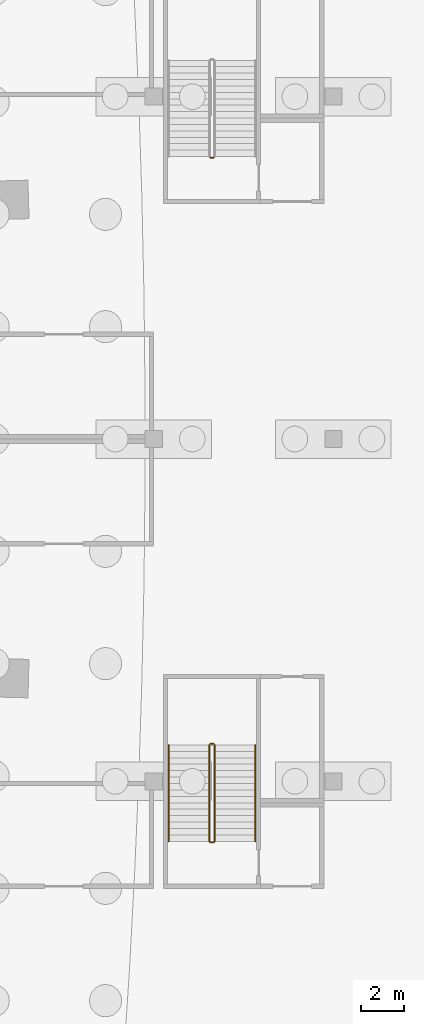
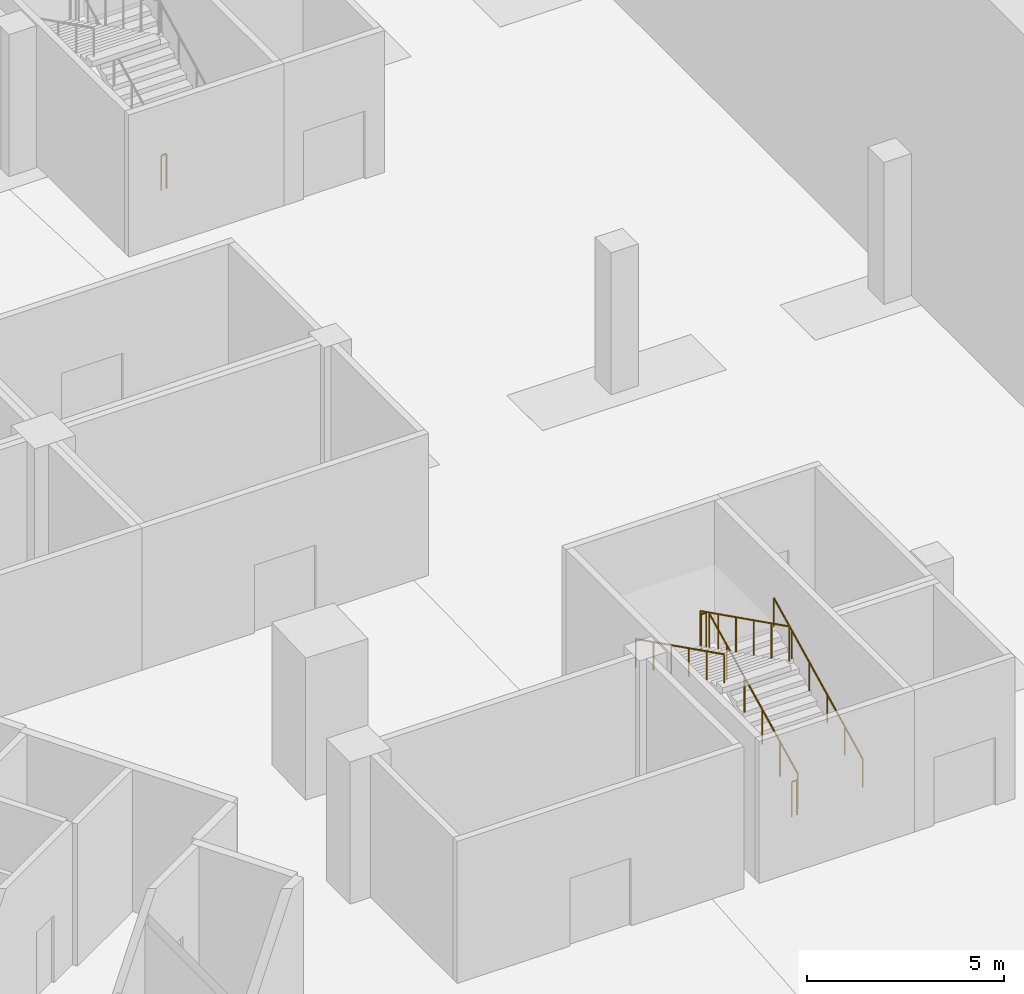
# One storey, part 39 of 46: 7 railings.
"""IFC4 building model written with IfcOpenShell, lengths in metres."""

from ifc_helpers import new_model, si_unit, direction, frame, origin, origin_2d, place, context, subcontext, project, spatial, circle, extrude, material, type_object, element, save


model = new_model("IFC4")

# Units and contexts
model_context = context("Model", 3, precision=1e-05, world=origin(), true_north=direction((0.0, 1.0)))
body_context = subcontext(model_context, "Body", "Model", "MODEL_VIEW")
ifc_project = project(units=[si_unit("LENGTHUNIT", "METRE"), si_unit("AREAUNIT", "SQUARE_METRE"), si_unit("VOLUMEUNIT", "CUBIC_METRE"), si_unit("PLANEANGLEUNIT", "RADIAN"), si_unit("MASSUNIT", "GRAM", prefix="KILO")], contexts=[model_context])

# Site, building, storey
site_placement = place(None, origin())
site = spatial("IfcSite", under=ifc_project, at=site_placement, CompositionType="ELEMENT")
building_placement = place(site_placement, origin())
building = spatial("IfcBuilding", under=site, at=building_placement, Name="Tamra Quay Hotel Tower", CompositionType="ELEMENT")
storey_placement = place(building_placement, frame((0.0, 0.0, -12.0)))
storey = spatial("IfcBuildingStorey", under=building, at=storey_placement, Name="B3", CompositionType="ELEMENT", Elevation=-12.0)

# Railings
ifc_material_1 = material(Name="Basement stair guard 1100")
railing_type_1 = type_object("IfcRailingType", Name="Basement stair guard 1100", PredefinedType="GUARDRAIL", material=ifc_material_1)
railing_1_placement = place(storey_placement, frame((31.35009765625, -18.800048828125, 0.14990234375)))
element("IfcRailing", 1, at=railing_1_placement, inside=storey, type_object=railing_type_1, Name="BSG", PredefinedType="GUARDRAIL", context=body_context, shape_type="SweptSolid", body=[
    extrude(circle(Radius=0.02392578125, at=origin_2d()), frame((0.0, 0.0, 1.076171875), z_axis=(0.0, 0.894427191, 0.4472135955), x_axis=(-1.0, 0.0, 0.0)), (0.0, 0.0, 1.0), 5.03125),
    extrude(circle(Radius=0.02099609375, at=origin_2d()), origin(), (0.0, 0.0, 1.0), 1.052001953125),
    extrude(circle(Radius=0.02099609375, at=origin_2d()), frame((0.0, 0.89990234375, 0.449951171875)), (0.0, 0.0, 1.0), 1.052001953125),
    extrude(circle(Radius=0.02099609375, at=origin_2d()), frame((0.0, 1.800048828125, 0.89990234375)), (0.0, 0.0, 1.0), 1.052001953125),
    extrude(circle(Radius=0.02099609375, at=origin_2d()), frame((0.0, 2.699951171875, 1.35009765625)), (0.0, 0.0, 1.0), 1.052001953125),
    extrude(circle(Radius=0.02099609375, at=origin_2d()), frame((0.0, 3.60009765625, 1.800048828125)), (0.0, 0.0, 1.0), 1.052001953125),
    extrude(circle(Radius=0.02099609375, at=origin_2d()), frame((0.0, 4.5, 2.25)), (0.0, 0.0, 1.0), 1.052001953125),
])
railing_2_placement = place(storey_placement, frame((31.300048828125, -14.25, 2.39990234375)))
element("IfcRailing", 2, at=railing_2_placement, inside=storey, type_object=railing_type_1, Name="BSG", PredefinedType="GUARDRAIL", context=body_context, shape_type="SweptSolid", body=[
    extrude(circle(Radius=0.02392578125, at=origin_2d()), frame((0.0, 0.0, 1.076171875), z_axis=(-1.0, 0.0, 0.0), x_axis=(0.0, -1.0, 0.0)), (0.0, 0.0, 1.0), 0.150146484375),
    extrude(circle(Radius=0.02099609375, at=origin_2d()), origin(), (0.0, 0.0, 1.0), 1.052001953125),
    extrude(circle(Radius=0.02099609375, at=origin_2d()), frame((-0.150146484375, 0.0, 0.0)), (0.0, 0.0, 1.0), 1.052001953125),
])
railing_3_placement = place(storey_placement, frame((31.10009765625, -14.300048828125, 2.550048828125)))
element("IfcRailing", 3, at=railing_3_placement, inside=storey, type_object=railing_type_1, Name="BSG", PredefinedType="GUARDRAIL", context=body_context, shape_type="SweptSolid", body=[
    extrude(circle(Radius=0.02392578125, at=origin_2d()), frame((0.0, 0.0, 1.076171875), z_axis=(0.0, -0.894427191, 0.4472135955), x_axis=(1.0, 0.0, 0.0)), (0.0, 0.0, 1.0), 5.03125),
    extrude(circle(Radius=0.02099609375, at=origin_2d()), origin(), (0.0, 0.0, 1.0), 1.052001953125),
    extrude(circle(Radius=0.02099609375, at=origin_2d()), frame((0.0, -0.89990234375, 0.449951171875)), (0.0, 0.0, 1.0), 1.052001953125),
    extrude(circle(Radius=0.02099609375, at=origin_2d()), frame((0.0, -1.800048828125, 0.89990234375)), (0.0, 0.0, 1.0), 1.052001953125),
    extrude(circle(Radius=0.02099609375, at=origin_2d()), frame((0.0, -2.699951171875, 1.35009765625)), (0.0, 0.0, 1.0), 1.052001953125),
    extrude(circle(Radius=0.02099609375, at=origin_2d()), frame((0.0, -3.60009765625, 1.800048828125)), (0.0, 0.0, 1.0), 1.052001953125),
    extrude(circle(Radius=0.02099609375, at=origin_2d()), frame((0.0, -4.5, 2.25)), (0.0, 0.0, 1.0), 1.052001953125),
])
for number, where, name in (
    (4, (31.300048828125, -18.85009765625, 0.0), "BSG"),
    (5, (31.300048828125, 13.14990234375, 0.0), "BSG"),
):
    element("IfcRailing", number, at=place(storey_placement, frame(where)), inside=storey, type_object=railing_type_1, Name=name, PredefinedType="GUARDRAIL", context=body_context, shape_type="SweptSolid", body=[
        extrude(circle(Radius=0.02392578125, at=origin_2d()), frame((0.0, 0.0, 1.076171875), z_axis=(-1.0, 0.0, 0.0), x_axis=(0.0, -1.0, 0.0)), (0.0, 0.0, 1.0), 0.150146484375),
        extrude(circle(Radius=0.02099609375, at=origin_2d()), origin(), (0.0, 0.0, 1.0), 1.052001953125),
        extrude(circle(Radius=0.02099609375, at=origin_2d()), frame((-0.150146484375, 0.0, 0.0)), (0.0, 0.0, 1.0), 1.052001953125),
    ])
ifc_material_2 = material(Name="Basement stair handrail 900")
railing_type_2 = type_object("IfcRailingType", Name="Basement stair handrail 900", PredefinedType="HANDRAIL", material=ifc_material_2)
railing_4_placement = place(storey_placement, frame((33.25, -18.800048828125, 0.14990234375)))
element("IfcRailing", 6, at=railing_4_placement, inside=storey, type_object=railing_type_2, Name="BSH", PredefinedType="HANDRAIL", context=body_context, shape_type="SweptSolid", body=[
    extrude(circle(Radius=0.02392578125, at=origin_2d()), frame((0.0, 0.0, 0.8759765625), z_axis=(0.0, 0.894427191, 0.4472135955), x_axis=(-1.0, 0.0, 0.0)), (0.0, 0.0, 1.0), 5.03125),
    extrude(circle(Radius=0.02099609375, at=origin_2d()), origin(), (0.0, 0.0, 1.0), 0.851806640625),
    extrude(circle(Radius=0.02099609375, at=origin_2d()), frame((0.0, 0.89990234375, 0.449951171875)), (0.0, 0.0, 1.0), 0.851806640625),
    extrude(circle(Radius=0.02099609375, at=origin_2d()), frame((0.0, 1.800048828125, 0.89990234375)), (0.0, 0.0, 1.0), 0.851806640625),
    extrude(circle(Radius=0.02099609375, at=origin_2d()), frame((0.0, 2.699951171875, 1.35009765625)), (0.0, 0.0, 1.0), 0.851806640625),
    extrude(circle(Radius=0.02099609375, at=origin_2d()), frame((0.0, 3.60009765625, 1.800048828125)), (0.0, 0.0, 1.0), 0.851806640625),
    extrude(circle(Radius=0.02099609375, at=origin_2d()), frame((0.0, 4.5, 2.25)), (0.0, 0.0, 1.0), 0.851806640625),
])
railing_5_placement = place(storey_placement, frame((29.199951171875, -14.300048828125, 2.550048828125)))
element("IfcRailing", 7, at=railing_5_placement, inside=storey, type_object=railing_type_2, Name="BSH", PredefinedType="HANDRAIL", context=body_context, shape_type="SweptSolid", body=[
    extrude(circle(Radius=0.02392578125, at=origin_2d()), frame((0.0, 0.0, 0.8759765625), z_axis=(0.0, -0.894427191, 0.4472135955), x_axis=(1.0, 0.0, 0.0)), (0.0, 0.0, 1.0), 5.03125),
    extrude(circle(Radius=0.02099609375, at=origin_2d()), origin(), (0.0, 0.0, 1.0), 0.851806640625),
    extrude(circle(Radius=0.02099609375, at=origin_2d()), frame((0.0, -0.89990234375, 0.449951171875)), (0.0, 0.0, 1.0), 0.851806640625),
    extrude(circle(Radius=0.02099609375, at=origin_2d()), frame((0.0, -1.800048828125, 0.89990234375)), (0.0, 0.0, 1.0), 0.851806640625),
    extrude(circle(Radius=0.02099609375, at=origin_2d()), frame((0.0, -2.699951171875, 1.35009765625)), (0.0, 0.0, 1.0), 0.851806640625),
    extrude(circle(Radius=0.02099609375, at=origin_2d()), frame((0.0, -3.60009765625, 1.800048828125)), (0.0, 0.0, 1.0), 0.851806640625),
    extrude(circle(Radius=0.02099609375, at=origin_2d()), frame((0.0, -4.5, 2.25)), (0.0, 0.0, 1.0), 0.851806640625),
])

save(model, "model.ifc")
